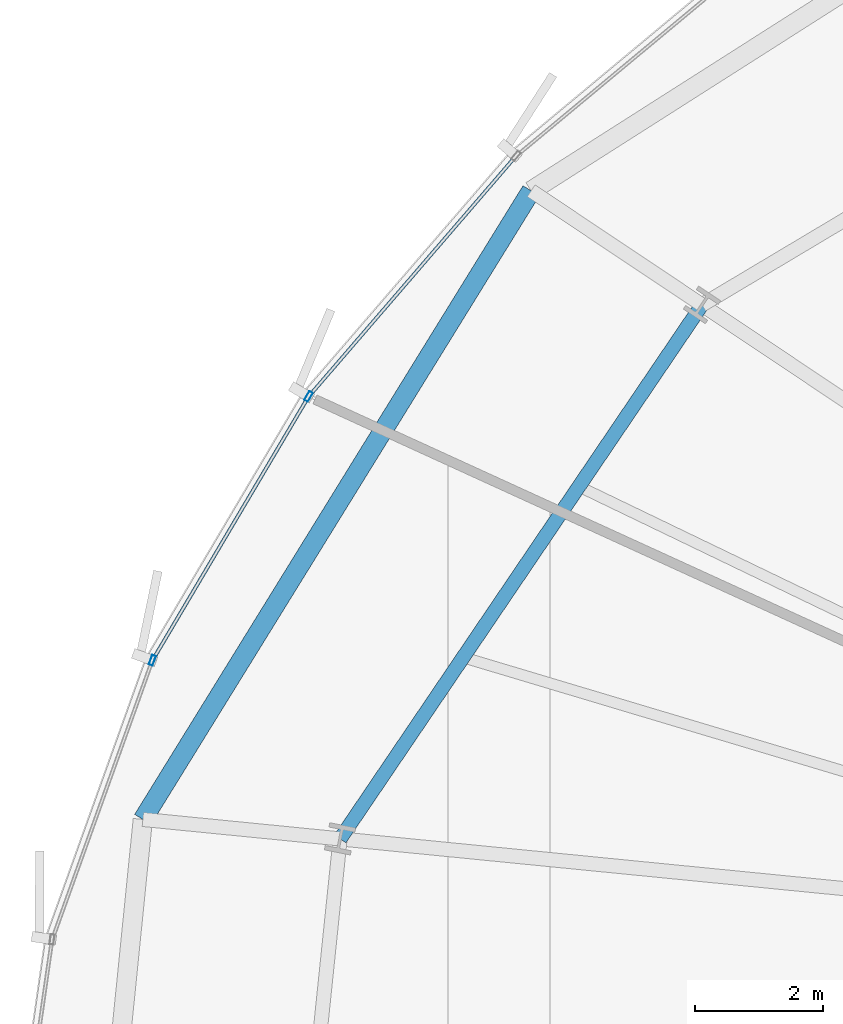
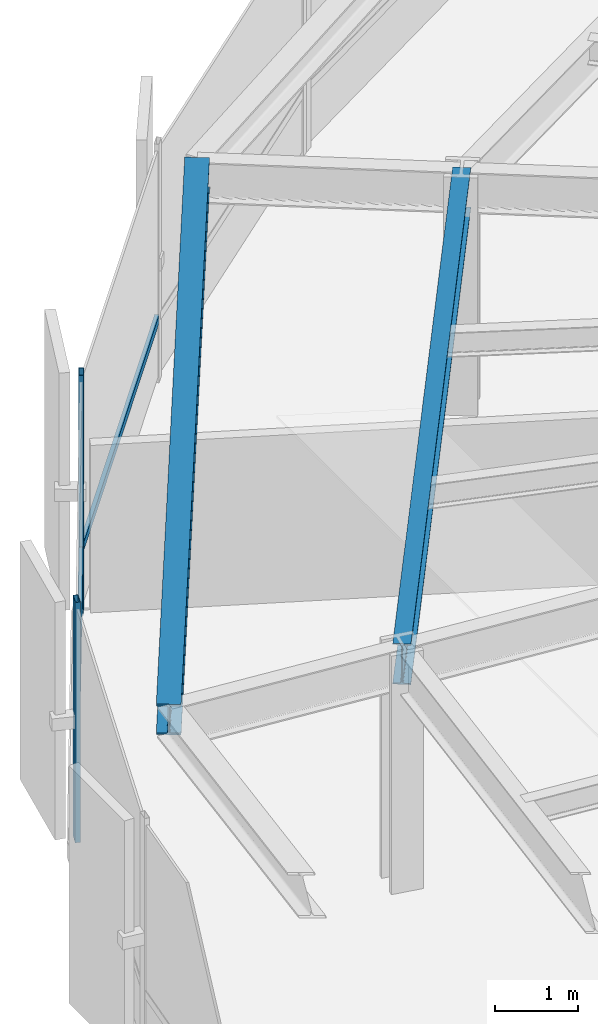
# One storey, part 16 of 35: 4 members, 2 beams, 1 element without a shape of its own.
"""IFC4 building model written with IfcOpenShell, lengths in metres."""

from ifc_helpers import new_model, si_unit, direction, frame, origin, origin_2d, place, context, subcontext, project, spatial, hollow_rectangle, i_section, extrude, source, transform, mapped, material, layer, layer_set, material_profile, profile_set, type_object, element, aggregate, save


model = new_model("IFC4")

# Units and contexts
model_context = context("Model", 3, precision=1e-05, world=origin(), true_north=direction((0.0, 1.0)))
body_context = subcontext(model_context, "Body", "Model", "MODEL_VIEW")
ifc_project = project(units=[si_unit("LENGTHUNIT", "METRE"), si_unit("AREAUNIT", "SQUARE_METRE"), si_unit("VOLUMEUNIT", "CUBIC_METRE"), si_unit("PLANEANGLEUNIT", "RADIAN"), si_unit("MASSUNIT", "GRAM", prefix="KILO"), si_unit("THERMODYNAMICTEMPERATUREUNIT", "KELVIN")], contexts=[model_context])

# Site, building, storey
site_placement = place(None, origin())
site = spatial("IfcSite", under=ifc_project, at=site_placement, CompositionType="ELEMENT")
building_placement = place(site_placement, origin())
building = spatial("IfcBuilding", under=site, at=building_placement, Name="Kethvar Cultural Tower", CompositionType="ELEMENT")
storey_placement = place(building_placement, frame((0.0, 0.0, 71.39990234375)))
storey = spatial("IfcBuildingStorey", under=building, at=storey_placement, Name="L17", CompositionType="ELEMENT", Elevation=71.39990234375)

# Beams
ifc_material_1 = material(Name="Steel S355J2", Category="steel")
ifc_material_profile_1 = material_profile(ifc_material_1, i_section(OverallWidth=0.219970703125, OverallDepth=0.60009765625, WebThickness=0.011962890625, FlangeThickness=0.01904296875, FilletRadius=0.02392578125, at=origin_2d()), Name="Steel S355J2 — IPE600")
ifc_profile_set_1 = profile_set([ifc_material_profile_1], Name="Steel S355J2 — IPE600")
beam_type_1 = type_object("IfcBeamType", Name="BM-IPE600", PredefinedType="BEAM", material=ifc_profile_set_1)
shared_shape_1 = source(origin(), body_context, "Body", "SweptSolid", [
    extrude(i_section(OverallWidth=0.219970703125, OverallDepth=0.60009765625, WebThickness=0.011962890625, FlangeThickness=0.01904296875, FilletRadius=0.02392578125, at=origin_2d()), origin(), (0.0, 0.0, 1.0), 10.048583984375),
])
beam_1_placement = place(storey_placement, frame((26.6845703125, 41.24072265625, 3.238037109375), z_axis=(-0.561025415443, -0.827798576483, 0.0), x_axis=(0.827798576483, -0.561025415443, 0.0)))
element("IfcBeam", 1, at=beam_1_placement, inside=storey, type_object=beam_type_1, Name="L17 Column Ring Tie Beam CR-07", PredefinedType="BEAM", context=body_context, shape_type="MappedRepresentation", body=[
    mapped(shared_shape_1, transform((0.0, 0.0, 0.0), scale=1.0)),
])
ifc_material_profile_2 = material_profile(ifc_material_1, i_section(OverallWidth=0.300048828125, OverallDepth=0.449951171875, WebThickness=0.013916015625, FlangeThickness=0.02587890625, FilletRadius=0.027099609375, at=origin_2d()), Name="Steel S355J2 — HEB450")
ifc_profile_set_2 = profile_set([ifc_material_profile_2], Name="Steel S355J2 — HEB450")
beam_type_2 = type_object("IfcBeamType", Name="BM-SP450", PredefinedType="SPANDREL", material=ifc_profile_set_2)
shared_shape_2 = source(origin(), body_context, "Body", "SweptSolid", [
    extrude(i_section(OverallWidth=0.300048828125, OverallDepth=0.449951171875, WebThickness=0.013916015625, FlangeThickness=0.02587890625, FilletRadius=0.027099609375, at=origin_2d()), origin(), (0.0, 0.0, 1.0), 11.5107421875),
])
beam_2_placement = place(storey_placement, frame((24.02392578125, 43.0185546875, 3.31298828125), z_axis=(-0.525578221856, -0.850745280745, 0.0), x_axis=(0.850745280745, -0.525578221856, 0.0)))
element("IfcBeam", 2, at=beam_2_placement, inside=storey, type_object=beam_type_2, Name="L17 Perimeter Spandrel Beam SP-07", PredefinedType="SPANDREL", context=body_context, shape_type="MappedRepresentation", body=[
    mapped(shared_shape_2, transform((0.0, 0.0, 0.0), scale=1.0)),
])

# Curtain wall, members
ifc_material_2 = material(Name="Aluminium 6063-T6", Category="aluminium")
ifc_layer = layer(ifc_material_2, 0.179931640625, Name="Aluminium 6063-T6", Category="aluminium")
ifc_layer_set = layer_set([ifc_layer], Name="Aluminium 6063-T6 (180 mm)")
curtain_wall_type = type_object("IfcCurtainWallType", Name="CW-SYS-02-Z1", PredefinedType="NOTDEFINED", material=ifc_layer_set)
curtain_wall_placement = place(storey_placement, origin())
curtain_wall = element("IfcCurtainWall", 3, at=curtain_wall_placement, inside=storey, type_object=curtain_wall_type, Name="L17 Curtain Wall Run 03", PredefinedType="NOTDEFINED")
ifc_material_profile_3 = material_profile(ifc_material_2, hollow_rectangle(XDim=0.06494140625, YDim=0.159912109375, WallThickness=0.0048828125, at=origin_2d()), Name="Aluminium 6063-T6 — RHS160x65x5")
ifc_profile_set_3 = profile_set([ifc_material_profile_3], Name="Aluminium 6063-T6 — RHS160x65x5")
member_type_1 = type_object("IfcMemberType", Name="CW-SYS-02-Z1-MUL", PredefinedType="MULLION", material=ifc_profile_set_3)
shared_shape_3 = source(origin(), body_context, "Body", "SweptSolid", [
    extrude(hollow_rectangle(XDim=0.06494140625, YDim=0.159912109375, WallThickness=0.0048828125, at=origin_2d()), origin(), (0.0, 0.0, 1.0), 3.5400390625),
])
member_1_placement = place(storey_placement, frame((20.55615234375, 39.814208984375, 0.0), z_axis=(0.0, 0.0, 1.0), x_axis=(0.860724257582, -0.509071461005, 0.0)))
member_1 = element("IfcMember", 4, at=member_1_placement, type_object=member_type_1, Name="CW-L17-R03 Mullion 3", PredefinedType="MULLION", context=body_context, shape_type="MappedRepresentation", body=[
    mapped(shared_shape_3, transform((0.0, 0.0, 0.0), scale=1.0)),
])
member_2_placement = place(storey_placement, frame((18.123046875, 35.70458984375, 0.0), z_axis=(0.0, 0.0, 1.0), x_axis=(0.941282128477, -0.337621022167, 0.0)))
member_2 = element("IfcMember", 5, at=member_2_placement, type_object=member_type_1, Name="CW-L17-R03 Mullion 4", PredefinedType="MULLION", context=body_context, shape_type="MappedRepresentation", body=[
    mapped(shared_shape_3, transform((0.0, 0.0, 0.0), scale=1.0)),
])
ifc_material_profile_4 = material_profile(ifc_material_2, hollow_rectangle(XDim=0.054931640625, YDim=0.1201171875, WallThickness=0.00390625, at=origin_2d()), Name="Aluminium 6063-T6 — RHS120x55x4")
ifc_profile_set_4 = profile_set([ifc_material_profile_4], Name="Aluminium 6063-T6 — RHS120x55x4")
member_type_2 = type_object("IfcMemberType", Name="CW-SYS-02-Z1-TRN", PredefinedType="USERDEFINED", material=ifc_profile_set_4)
shared_shape_4 = source(origin(), body_context, "Body", "SweptSolid", [
    extrude(hollow_rectangle(XDim=0.054931640625, YDim=0.1201171875, WallThickness=0.00390625, at=origin_2d()), origin(), (0.0, 0.0, 1.0), 4.874267578125),
])
member_3_placement = place(storey_placement, frame((23.756591796875, 43.52490234375, 0.9501953125), z_axis=(-0.652826664078, -0.757507324499, 0.0), x_axis=(0.757507324499, -0.652826664078, 0.0)))
member_3 = element("IfcMember", 6, at=member_3_placement, type_object=member_type_2, Name="CW-L17-R03 Transom 2", ObjectType="TRANSOM", PredefinedType="USERDEFINED", context=body_context, shape_type="MappedRepresentation", body=[
    mapped(shared_shape_4, transform((0.0, 0.0, 0.0), scale=1.0)),
])
shared_shape_5 = source(origin(), body_context, "Body", "SweptSolid", [
    extrude(hollow_rectangle(XDim=0.054931640625, YDim=0.1201171875, WallThickness=0.00390625, at=origin_2d()), origin(), (0.0, 0.0, 1.0), 4.704833984375),
])
member_4_placement = place(storey_placement, frame((20.532470703125, 39.77392578125, 0.9501953125), z_axis=(-0.509098141252, -0.860708477113, 0.0), x_axis=(0.860708477113, -0.509098141252, 0.0)))
member_4 = element("IfcMember", 7, at=member_4_placement, type_object=member_type_2, Name="CW-L17-R03 Transom 3", ObjectType="TRANSOM", PredefinedType="USERDEFINED", context=body_context, shape_type="MappedRepresentation", body=[
    mapped(shared_shape_5, transform((0.0, 0.0, 0.0), scale=1.0)),
])
aggregate(curtain_wall, [member_1, member_2, member_3, member_4])

save(model, "model.ifc")
